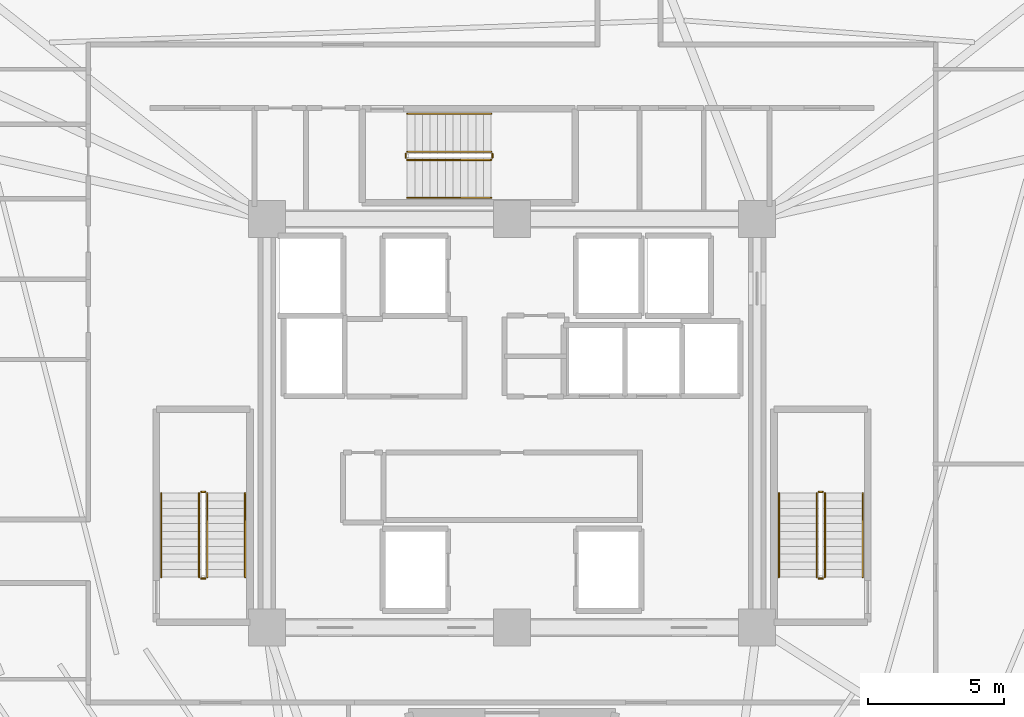
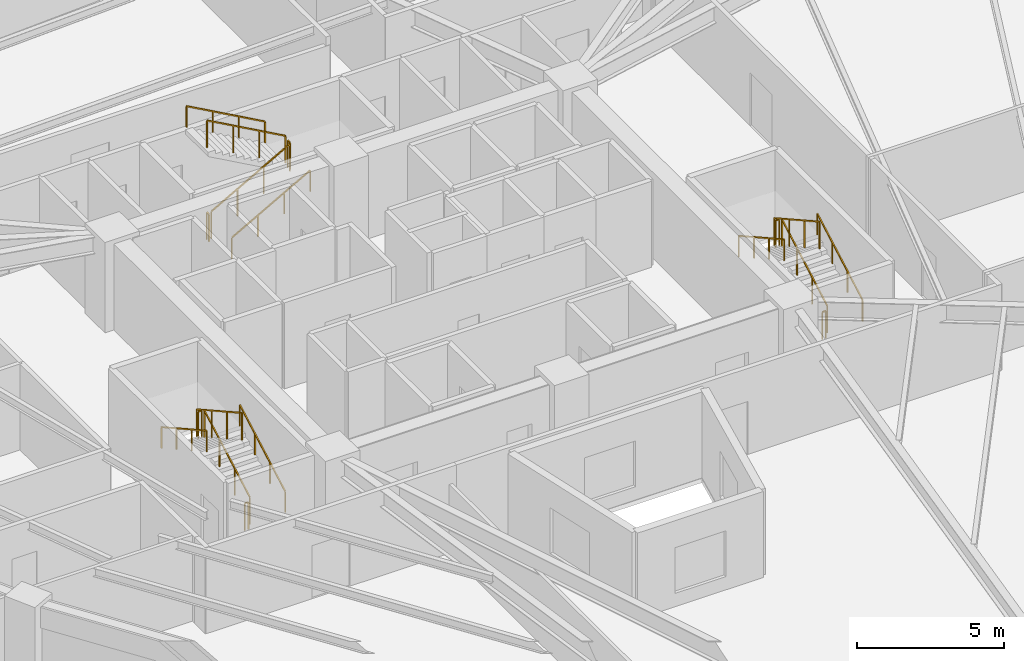
# One storey, part 8 of 8: 18 railings.
"""IFC4 building model written with IfcOpenShell, lengths in metres."""

from ifc_helpers import new_model, si_unit, direction, frame, origin, origin_2d, place, context, subcontext, project, spatial, rectangle, extrude, material, type_object, element, save


model = new_model("IFC4")

# Units and contexts
model_context = context("Model", 3, precision=1e-05, world=origin(), true_north=direction((0.0, 1.0)))
body_context = subcontext(model_context, "Body", "Model", "MODEL_VIEW")
ifc_project = project(units=[si_unit("LENGTHUNIT", "METRE"), si_unit("AREAUNIT", "SQUARE_METRE"), si_unit("VOLUMEUNIT", "CUBIC_METRE"), si_unit("PLANEANGLEUNIT", "RADIAN"), si_unit("MASSUNIT", "GRAM", prefix="KILO")], contexts=[model_context])

# Site, building, storey
site_placement = place(None, origin())
site = spatial("IfcSite", under=ifc_project, at=site_placement, CompositionType="ELEMENT")
building_placement = place(site_placement, origin())
building = spatial("IfcBuilding", under=site, at=building_placement, Name="Liaohun Quay Tower", CompositionType="ELEMENT")
storey_placement = place(building_placement, frame((0.0, 0.0, 220.5)))
storey = spatial("IfcBuildingStorey", under=building, at=storey_placement, Name="L57", CompositionType="ELEMENT", Elevation=220.5)

# Railings
ifc_material_1 = material(Name="Painted tubular steel", Category="steel")
railing_type_1 = type_object("IfcRailingType", Name="RLG-GUARD-STR", PredefinedType="GUARDRAIL", material=ifc_material_1)
railing_1_placement = place(storey_placement, frame((48.81005859375, 48.35009765625, 0.15625)))
element("IfcRailing", 1, at=railing_1_placement, inside=storey, type_object=railing_type_1, Name="L57 ST-1 stair guard 1", PredefinedType="GUARDRAIL", context=body_context, shape_type="SweptSolid", body=[
    extrude(rectangle(XDim=0.048095703125, YDim=0.048095703125, at=origin_2d()), frame((0.0, 0.0, 1.1259765625), z_axis=(0.0, 0.873225103656, 0.487317061414), x_axis=(-1.0, 0.0, 0.0)), (0.0, 0.0, 1.0), 3.52685546875),
    extrude(rectangle(XDim=0.0419921875, YDim=0.0419921875, at=origin_2d()), origin(), (0.0, 0.0, 1.0), 1.101806640625),
    extrude(rectangle(XDim=0.0419921875, YDim=0.0419921875, at=origin_2d()), frame((0.0, 1.026611328125, 0.572998046875)), (0.0, 0.0, 1.0), 1.101806640625),
    extrude(rectangle(XDim=0.0419921875, YDim=0.0419921875, at=origin_2d()), frame((0.0, 2.05322265625, 1.145751953125)), (0.0, 0.0, 1.0), 1.101806640625),
    extrude(rectangle(XDim=0.0419921875, YDim=0.0419921875, at=origin_2d()), frame((0.0, 3.079833984375, 1.71875)), (0.0, 0.0, 1.0), 1.101806640625),
])
railing_2_placement = place(storey_placement, frame((48.72998046875, 51.47998046875, 1.875)))
element("IfcRailing", 2, at=railing_2_placement, inside=storey, type_object=railing_type_1, Name="L57 ST-1 stair guard 2", PredefinedType="GUARDRAIL", context=body_context, shape_type="SweptSolid", body=[
    extrude(rectangle(XDim=0.048095703125, YDim=0.048095703125, at=origin_2d()), frame((0.0, 0.0, 1.1259765625), z_axis=(-1.0, 0.0, 0.0), x_axis=(0.0, -1.0, 0.0)), (0.0, 0.0, 1.0), 0.139892578125),
    extrude(rectangle(XDim=0.0419921875, YDim=0.0419921875, at=origin_2d()), origin(), (0.0, 0.0, 1.0), 1.101806640625),
    extrude(rectangle(XDim=0.0419921875, YDim=0.0419921875, at=origin_2d()), frame((-0.139892578125, 0.0, 0.0)), (0.0, 0.0, 1.0), 1.101806640625),
])
railing_3_placement = place(storey_placement, frame((48.510009765625, 51.429931640625, 2.03125)))
element("IfcRailing", 3, at=railing_3_placement, inside=storey, type_object=railing_type_1, Name="L57 ST-1 stair guard 3", PredefinedType="GUARDRAIL", context=body_context, shape_type="SweptSolid", body=[
    extrude(rectangle(XDim=0.048095703125, YDim=0.048095703125, at=origin_2d()), frame((0.0, 0.0, 1.1259765625), z_axis=(0.0, -0.873225103656, 0.487317061414), x_axis=(1.0, 0.0, 0.0)), (0.0, 0.0, 1.0), 3.52685546875),
    extrude(rectangle(XDim=0.0419921875, YDim=0.0419921875, at=origin_2d()), origin(), (0.0, 0.0, 1.0), 1.101806640625),
    extrude(rectangle(XDim=0.0419921875, YDim=0.0419921875, at=origin_2d()), frame((0.0, -1.026611328125, 0.572998046875)), (0.0, 0.0, 1.0), 1.101806640625),
    extrude(rectangle(XDim=0.0419921875, YDim=0.0419921875, at=origin_2d()), frame((0.0, -2.05322265625, 1.145751953125)), (0.0, 0.0, 1.0), 1.101806640625),
    extrude(rectangle(XDim=0.0419921875, YDim=0.0419921875, at=origin_2d()), frame((0.0, -3.079833984375, 1.71875)), (0.0, 0.0, 1.0), 1.101806640625),
])
railing_4_placement = place(storey_placement, frame((48.72998046875, 48.300048828125, 0.0)))
element("IfcRailing", 4, at=railing_4_placement, inside=storey, type_object=railing_type_1, Name="L57 ST-1 stair guard 4", PredefinedType="GUARDRAIL", context=body_context, shape_type="SweptSolid", body=[
    extrude(rectangle(XDim=0.048095703125, YDim=0.048095703125, at=origin_2d()), frame((0.0, 0.0, 1.1259765625), z_axis=(-1.0, 0.0, 0.0), x_axis=(0.0, -1.0, 0.0)), (0.0, 0.0, 1.0), 0.139892578125),
    extrude(rectangle(XDim=0.0419921875, YDim=0.0419921875, at=origin_2d()), origin(), (0.0, 0.0, 1.0), 1.101806640625),
    extrude(rectangle(XDim=0.0419921875, YDim=0.0419921875, at=origin_2d()), frame((-0.139892578125, 0.0, 0.0)), (0.0, 0.0, 1.0), 1.101806640625),
])
railing_5_placement = place(storey_placement, frame((71.489990234375, 48.35009765625, 0.15625)))
element("IfcRailing", 5, at=railing_5_placement, inside=storey, type_object=railing_type_1, Name="L57 ST-2 stair guard 1", PredefinedType="GUARDRAIL", context=body_context, shape_type="SweptSolid", body=[
    extrude(rectangle(XDim=0.048095703125, YDim=0.048095703125, at=origin_2d()), frame((0.0, 0.0, 1.1259765625), z_axis=(0.0, 0.873225103656, 0.487317061414), x_axis=(-1.0, 0.0, 0.0)), (0.0, 0.0, 1.0), 3.52685546875),
    extrude(rectangle(XDim=0.0419921875, YDim=0.0419921875, at=origin_2d()), origin(), (0.0, 0.0, 1.0), 1.101806640625),
    extrude(rectangle(XDim=0.0419921875, YDim=0.0419921875, at=origin_2d()), frame((0.0, 1.026611328125, 0.572998046875)), (0.0, 0.0, 1.0), 1.101806640625),
    extrude(rectangle(XDim=0.0419921875, YDim=0.0419921875, at=origin_2d()), frame((0.0, 2.05322265625, 1.145751953125)), (0.0, 0.0, 1.0), 1.101806640625),
    extrude(rectangle(XDim=0.0419921875, YDim=0.0419921875, at=origin_2d()), frame((0.0, 3.079833984375, 1.71875)), (0.0, 0.0, 1.0), 1.101806640625),
])
railing_6_placement = place(storey_placement, frame((71.409912109375, 51.47998046875, 1.875)))
element("IfcRailing", 6, at=railing_6_placement, inside=storey, type_object=railing_type_1, Name="L57 ST-2 stair guard 2", PredefinedType="GUARDRAIL", context=body_context, shape_type="SweptSolid", body=[
    extrude(rectangle(XDim=0.048095703125, YDim=0.048095703125, at=origin_2d()), frame((0.0, 0.0, 1.1259765625), z_axis=(-1.0, 0.0, 0.0), x_axis=(0.0, -1.0, 0.0)), (0.0, 0.0, 1.0), 0.139892578125),
    extrude(rectangle(XDim=0.0419921875, YDim=0.0419921875, at=origin_2d()), origin(), (0.0, 0.0, 1.0), 1.101806640625),
    extrude(rectangle(XDim=0.0419921875, YDim=0.0419921875, at=origin_2d()), frame((-0.139892578125, 0.0, 0.0)), (0.0, 0.0, 1.0), 1.101806640625),
])
railing_7_placement = place(storey_placement, frame((71.18994140625, 51.429931640625, 2.03125)))
element("IfcRailing", 7, at=railing_7_placement, inside=storey, type_object=railing_type_1, Name="L57 ST-2 stair guard 3", PredefinedType="GUARDRAIL", context=body_context, shape_type="SweptSolid", body=[
    extrude(rectangle(XDim=0.048095703125, YDim=0.048095703125, at=origin_2d()), frame((0.0, 0.0, 1.1259765625), z_axis=(0.0, -0.873225103656, 0.487317061414), x_axis=(1.0, 0.0, 0.0)), (0.0, 0.0, 1.0), 3.52685546875),
    extrude(rectangle(XDim=0.0419921875, YDim=0.0419921875, at=origin_2d()), origin(), (0.0, 0.0, 1.0), 1.101806640625),
    extrude(rectangle(XDim=0.0419921875, YDim=0.0419921875, at=origin_2d()), frame((0.0, -1.026611328125, 0.572998046875)), (0.0, 0.0, 1.0), 1.101806640625),
    extrude(rectangle(XDim=0.0419921875, YDim=0.0419921875, at=origin_2d()), frame((0.0, -2.05322265625, 1.145751953125)), (0.0, 0.0, 1.0), 1.101806640625),
    extrude(rectangle(XDim=0.0419921875, YDim=0.0419921875, at=origin_2d()), frame((0.0, -3.079833984375, 1.71875)), (0.0, 0.0, 1.0), 1.101806640625),
])
railing_8_placement = place(storey_placement, frame((71.409912109375, 48.300048828125, 0.0)))
element("IfcRailing", 8, at=railing_8_placement, inside=storey, type_object=railing_type_1, Name="L57 ST-2 stair guard 4", PredefinedType="GUARDRAIL", context=body_context, shape_type="SweptSolid", body=[
    extrude(rectangle(XDim=0.048095703125, YDim=0.048095703125, at=origin_2d()), frame((0.0, 0.0, 1.1259765625), z_axis=(-1.0, 0.0, 0.0), x_axis=(0.0, -1.0, 0.0)), (0.0, 0.0, 1.0), 0.139892578125),
    extrude(rectangle(XDim=0.0419921875, YDim=0.0419921875, at=origin_2d()), origin(), (0.0, 0.0, 1.0), 1.101806640625),
    extrude(rectangle(XDim=0.0419921875, YDim=0.0419921875, at=origin_2d()), frame((-0.139892578125, 0.0, 0.0)), (0.0, 0.0, 1.0), 1.101806640625),
])
railing_9_placement = place(storey_placement, frame((56.14990234375, 63.669921875, 0.15625)))
element("IfcRailing", 9, at=railing_9_placement, inside=storey, type_object=railing_type_1, Name="L57 ST-3 stair guard 1", PredefinedType="GUARDRAIL", context=body_context, shape_type="SweptSolid", body=[
    extrude(rectangle(XDim=0.048095703125, YDim=0.048095703125, at=origin_2d()), frame((0.0, 0.0, 1.1259765625), z_axis=(0.873241540666, 0.0, 0.487287606713), x_axis=(0.0, 1.0, 0.0)), (0.0, 0.0, 1.0), 3.527099609375),
    extrude(rectangle(XDim=0.0419921875, YDim=0.0419921875, at=origin_2d()), origin(), (0.0, 0.0, 1.0), 1.101806640625),
    extrude(rectangle(XDim=0.0419921875, YDim=0.0419921875, at=origin_2d()), frame((1.026611328125, 0.0, 0.572998046875)), (0.0, 0.0, 1.0), 1.101806640625),
    extrude(rectangle(XDim=0.0419921875, YDim=0.0419921875, at=origin_2d()), frame((2.053466796875, 0.0, 1.145751953125)), (0.0, 0.0, 1.0), 1.101806640625),
    extrude(rectangle(XDim=0.0419921875, YDim=0.0419921875, at=origin_2d()), frame((3.080078125, 0.0, 1.71875)), (0.0, 0.0, 1.0), 1.101806640625),
])
railing_10_placement = place(storey_placement, frame((59.280029296875, 63.75, 1.875)))
element("IfcRailing", 10, at=railing_10_placement, inside=storey, type_object=railing_type_1, Name="L57 ST-3 stair guard 2", PredefinedType="GUARDRAIL", context=body_context, shape_type="SweptSolid", body=[
    extrude(rectangle(XDim=0.048095703125, YDim=0.048095703125, at=origin_2d()), frame((0.0, 0.0, 1.1259765625), z_axis=(0.0, 1.0, 0.0), x_axis=(-1.0, 0.0, 0.0)), (0.0, 0.0, 1.0), 0.139892578125),
    extrude(rectangle(XDim=0.0419921875, YDim=0.0419921875, at=origin_2d()), origin(), (0.0, 0.0, 1.0), 1.101806640625),
    extrude(rectangle(XDim=0.0419921875, YDim=0.0419921875, at=origin_2d()), frame((0.0, 0.139892578125, 0.0)), (0.0, 0.0, 1.0), 1.101806640625),
])
railing_11_placement = place(storey_placement, frame((59.22998046875, 63.969970703125, 2.03125)))
element("IfcRailing", 11, at=railing_11_placement, inside=storey, type_object=railing_type_1, Name="L57 ST-3 stair guard 3", PredefinedType="GUARDRAIL", context=body_context, shape_type="SweptSolid", body=[
    extrude(rectangle(XDim=0.048095703125, YDim=0.048095703125, at=origin_2d()), frame((0.0, 0.0, 1.1259765625), z_axis=(-0.873241540666, 0.0, 0.487287606713), x_axis=(0.0, -1.0, 0.0)), (0.0, 0.0, 1.0), 3.527099609375),
    extrude(rectangle(XDim=0.0419921875, YDim=0.0419921875, at=origin_2d()), origin(), (0.0, 0.0, 1.0), 1.101806640625),
    extrude(rectangle(XDim=0.0419921875, YDim=0.0419921875, at=origin_2d()), frame((-1.026611328125, 0.0, 0.572998046875)), (0.0, 0.0, 1.0), 1.101806640625),
    extrude(rectangle(XDim=0.0419921875, YDim=0.0419921875, at=origin_2d()), frame((-2.053466796875, 0.0, 1.145751953125)), (0.0, 0.0, 1.0), 1.101806640625),
    extrude(rectangle(XDim=0.0419921875, YDim=0.0419921875, at=origin_2d()), frame((-3.080078125, 0.0, 1.71875)), (0.0, 0.0, 1.0), 1.101806640625),
])
railing_12_placement = place(storey_placement, frame((56.10009765625, 63.75, 0.0)))
element("IfcRailing", 12, at=railing_12_placement, inside=storey, type_object=railing_type_1, Name="L57 ST-3 stair guard 4", PredefinedType="GUARDRAIL", context=body_context, shape_type="SweptSolid", body=[
    extrude(rectangle(XDim=0.048095703125, YDim=0.048095703125, at=origin_2d()), frame((0.0, 0.0, 1.1259765625), z_axis=(0.0, 1.0, 0.0), x_axis=(-1.0, 0.0, 0.0)), (0.0, 0.0, 1.0), 0.139892578125),
    extrude(rectangle(XDim=0.0419921875, YDim=0.0419921875, at=origin_2d()), origin(), (0.0, 0.0, 1.0), 1.101806640625),
    extrude(rectangle(XDim=0.0419921875, YDim=0.0419921875, at=origin_2d()), frame((0.0, 0.139892578125, 0.0)), (0.0, 0.0, 1.0), 1.101806640625),
])
ifc_material_2 = material(Name="Brushed stainless steel", Category="steel")
railing_type_2 = type_object("IfcRailingType", Name="RLG-HND-STR", PredefinedType="HANDRAIL", material=ifc_material_2)
railing_13_placement = place(storey_placement, frame((50.199951171875, 48.35009765625, 0.15625)))
element("IfcRailing", 13, at=railing_13_placement, inside=storey, type_object=railing_type_2, Name="L57 ST-1 stair handrail 1", PredefinedType="HANDRAIL", context=body_context, shape_type="SweptSolid", body=[
    extrude(rectangle(XDim=0.048095703125, YDim=0.048095703125, at=origin_2d()), frame((0.0, 0.0, 0.8759765625), z_axis=(0.0, 0.873225103656, 0.487317061414), x_axis=(-1.0, 0.0, 0.0)), (0.0, 0.0, 1.0), 3.52685546875),
    extrude(rectangle(XDim=0.0419921875, YDim=0.0419921875, at=origin_2d()), origin(), (0.0, 0.0, 1.0), 0.851806640625),
    extrude(rectangle(XDim=0.0419921875, YDim=0.0419921875, at=origin_2d()), frame((0.0, 1.026611328125, 0.572998046875)), (0.0, 0.0, 1.0), 0.851806640625),
    extrude(rectangle(XDim=0.0419921875, YDim=0.0419921875, at=origin_2d()), frame((0.0, 2.05322265625, 1.145751953125)), (0.0, 0.0, 1.0), 0.851806640625),
    extrude(rectangle(XDim=0.0419921875, YDim=0.0419921875, at=origin_2d()), frame((0.0, 3.079833984375, 1.71875)), (0.0, 0.0, 1.0), 0.851806640625),
])
railing_14_placement = place(storey_placement, frame((47.1201171875, 51.429931640625, 2.03125)))
element("IfcRailing", 14, at=railing_14_placement, inside=storey, type_object=railing_type_2, Name="L57 ST-1 stair handrail 2", PredefinedType="HANDRAIL", context=body_context, shape_type="SweptSolid", body=[
    extrude(rectangle(XDim=0.048095703125, YDim=0.048095703125, at=origin_2d()), frame((0.0, 0.0, 0.8759765625), z_axis=(0.0, -0.873225103656, 0.487317061414), x_axis=(1.0, 0.0, 0.0)), (0.0, 0.0, 1.0), 3.52685546875),
    extrude(rectangle(XDim=0.0419921875, YDim=0.0419921875, at=origin_2d()), origin(), (0.0, 0.0, 1.0), 0.851806640625),
    extrude(rectangle(XDim=0.0419921875, YDim=0.0419921875, at=origin_2d()), frame((0.0, -1.026611328125, 0.572998046875)), (0.0, 0.0, 1.0), 0.851806640625),
    extrude(rectangle(XDim=0.0419921875, YDim=0.0419921875, at=origin_2d()), frame((0.0, -2.05322265625, 1.145751953125)), (0.0, 0.0, 1.0), 0.851806640625),
    extrude(rectangle(XDim=0.0419921875, YDim=0.0419921875, at=origin_2d()), frame((0.0, -3.079833984375, 1.71875)), (0.0, 0.0, 1.0), 0.851806640625),
])
railing_15_placement = place(storey_placement, frame((72.8798828125, 48.35009765625, 0.15625)))
element("IfcRailing", 15, at=railing_15_placement, inside=storey, type_object=railing_type_2, Name="L57 ST-2 stair handrail 1", PredefinedType="HANDRAIL", context=body_context, shape_type="SweptSolid", body=[
    extrude(rectangle(XDim=0.048095703125, YDim=0.048095703125, at=origin_2d()), frame((0.0, 0.0, 0.8759765625), z_axis=(0.0, 0.873225103656, 0.487317061414), x_axis=(-1.0, 0.0, 0.0)), (0.0, 0.0, 1.0), 3.52685546875),
    extrude(rectangle(XDim=0.0419921875, YDim=0.0419921875, at=origin_2d()), origin(), (0.0, 0.0, 1.0), 0.851806640625),
    extrude(rectangle(XDim=0.0419921875, YDim=0.0419921875, at=origin_2d()), frame((0.0, 1.026611328125, 0.572998046875)), (0.0, 0.0, 1.0), 0.851806640625),
    extrude(rectangle(XDim=0.0419921875, YDim=0.0419921875, at=origin_2d()), frame((0.0, 2.05322265625, 1.145751953125)), (0.0, 0.0, 1.0), 0.851806640625),
    extrude(rectangle(XDim=0.0419921875, YDim=0.0419921875, at=origin_2d()), frame((0.0, 3.079833984375, 1.71875)), (0.0, 0.0, 1.0), 0.851806640625),
])
railing_16_placement = place(storey_placement, frame((69.800048828125, 51.429931640625, 2.03125)))
element("IfcRailing", 16, at=railing_16_placement, inside=storey, type_object=railing_type_2, Name="L57 ST-2 stair handrail 2", PredefinedType="HANDRAIL", context=body_context, shape_type="SweptSolid", body=[
    extrude(rectangle(XDim=0.048095703125, YDim=0.048095703125, at=origin_2d()), frame((0.0, 0.0, 0.8759765625), z_axis=(0.0, -0.873225103656, 0.487317061414), x_axis=(1.0, 0.0, 0.0)), (0.0, 0.0, 1.0), 3.52685546875),
    extrude(rectangle(XDim=0.0419921875, YDim=0.0419921875, at=origin_2d()), origin(), (0.0, 0.0, 1.0), 0.851806640625),
    extrude(rectangle(XDim=0.0419921875, YDim=0.0419921875, at=origin_2d()), frame((0.0, -1.026611328125, 0.572998046875)), (0.0, 0.0, 1.0), 0.851806640625),
    extrude(rectangle(XDim=0.0419921875, YDim=0.0419921875, at=origin_2d()), frame((0.0, -2.05322265625, 1.145751953125)), (0.0, 0.0, 1.0), 0.851806640625),
    extrude(rectangle(XDim=0.0419921875, YDim=0.0419921875, at=origin_2d()), frame((0.0, -3.079833984375, 1.71875)), (0.0, 0.0, 1.0), 0.851806640625),
])
railing_17_placement = place(storey_placement, frame((56.14990234375, 62.280029296875, 0.15625)))
element("IfcRailing", 17, at=railing_17_placement, inside=storey, type_object=railing_type_2, Name="L57 ST-3 stair handrail 1", PredefinedType="HANDRAIL", context=body_context, shape_type="SweptSolid", body=[
    extrude(rectangle(XDim=0.048095703125, YDim=0.048095703125, at=origin_2d()), frame((0.0, 0.0, 0.8759765625), z_axis=(0.873241540666, 0.0, 0.487287606713), x_axis=(0.0, 1.0, 0.0)), (0.0, 0.0, 1.0), 3.527099609375),
    extrude(rectangle(XDim=0.0419921875, YDim=0.0419921875, at=origin_2d()), origin(), (0.0, 0.0, 1.0), 0.851806640625),
    extrude(rectangle(XDim=0.0419921875, YDim=0.0419921875, at=origin_2d()), frame((1.026611328125, 0.0, 0.572998046875)), (0.0, 0.0, 1.0), 0.851806640625),
    extrude(rectangle(XDim=0.0419921875, YDim=0.0419921875, at=origin_2d()), frame((2.053466796875, 0.0, 1.145751953125)), (0.0, 0.0, 1.0), 0.851806640625),
    extrude(rectangle(XDim=0.0419921875, YDim=0.0419921875, at=origin_2d()), frame((3.080078125, 0.0, 1.71875)), (0.0, 0.0, 1.0), 0.851806640625),
])
railing_18_placement = place(storey_placement, frame((59.22998046875, 65.360107421875, 2.03125)))
element("IfcRailing", 18, at=railing_18_placement, inside=storey, type_object=railing_type_2, Name="L57 ST-3 stair handrail 2", PredefinedType="HANDRAIL", context=body_context, shape_type="SweptSolid", body=[
    extrude(rectangle(XDim=0.048095703125, YDim=0.048095703125, at=origin_2d()), frame((0.0, 0.0, 0.8759765625), z_axis=(-0.873241540666, 0.0, 0.487287606713), x_axis=(0.0, -1.0, 0.0)), (0.0, 0.0, 1.0), 3.527099609375),
    extrude(rectangle(XDim=0.0419921875, YDim=0.0419921875, at=origin_2d()), origin(), (0.0, 0.0, 1.0), 0.851806640625),
    extrude(rectangle(XDim=0.0419921875, YDim=0.0419921875, at=origin_2d()), frame((-1.026611328125, 0.0, 0.572998046875)), (0.0, 0.0, 1.0), 0.851806640625),
    extrude(rectangle(XDim=0.0419921875, YDim=0.0419921875, at=origin_2d()), frame((-2.053466796875, 0.0, 1.145751953125)), (0.0, 0.0, 1.0), 0.851806640625),
    extrude(rectangle(XDim=0.0419921875, YDim=0.0419921875, at=origin_2d()), frame((-3.080078125, 0.0, 1.71875)), (0.0, 0.0, 1.0), 0.851806640625),
])

save(model, "model.ifc")
